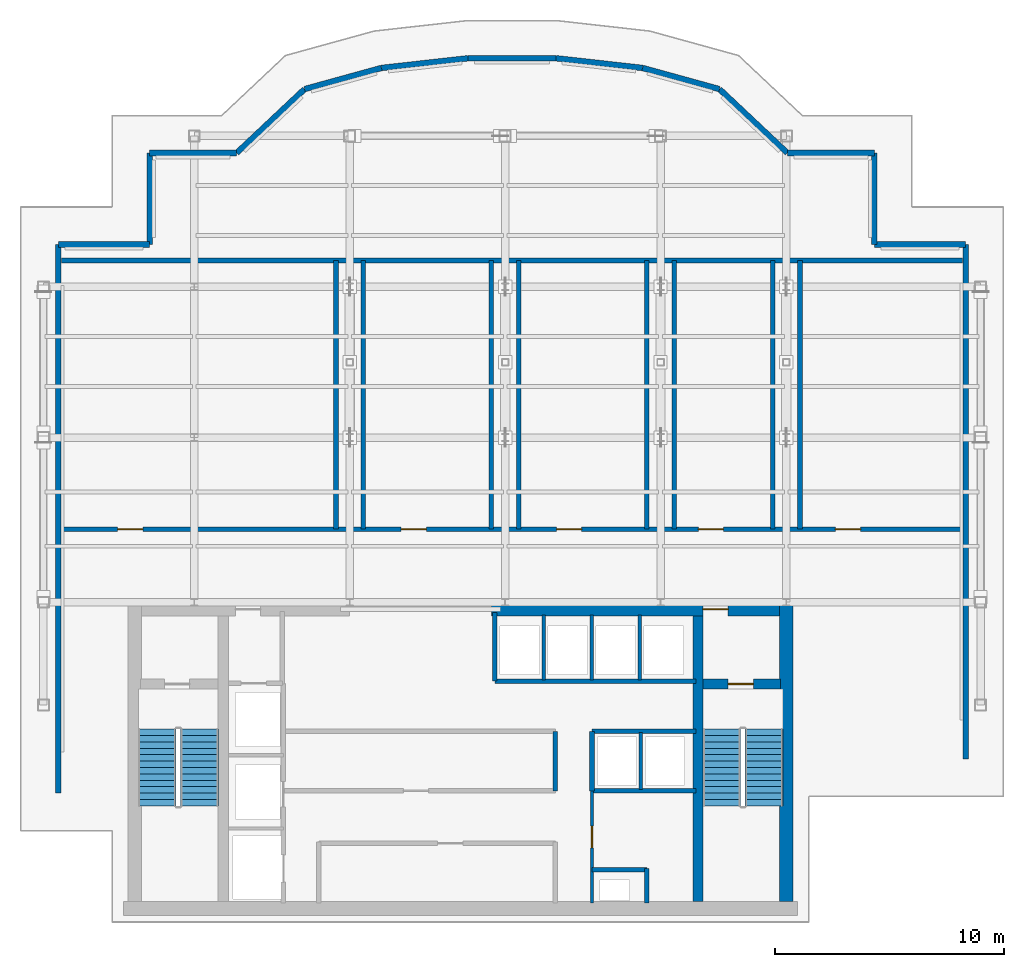
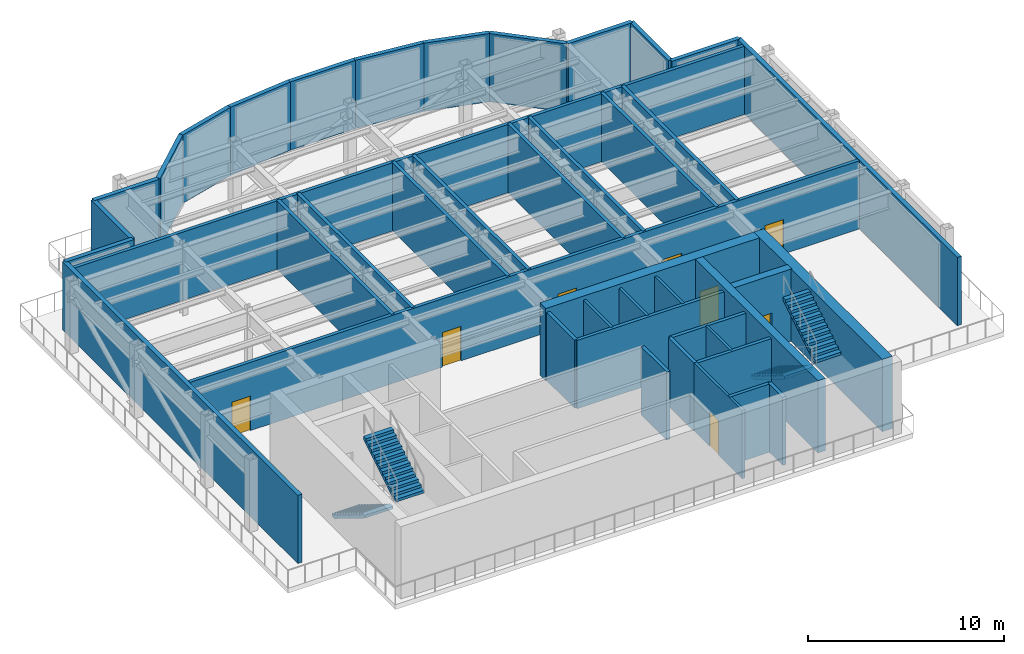
# One storey, part 5 of 7: 42 walls, 8 doors, 4 stair flights, 8 openings, 2 elements without a shape of their own.
"""IFC4 building model written with IfcOpenShell, lengths in metres."""

from ifc_helpers import new_model, si_unit, derived_unit, direction, frame, frame_2d, origin, place, context, subcontext, project, spatial, polyline, rectangle, outline, extrude, source, transform, mapped, material, layer, layer_set, type_object, element, fill, aggregate, save


model = new_model("IFC4")

# Units and contexts
model_context = context("Model", 3, precision=1e-05, world=origin(), true_north=direction((0.0, 1.0)))
body_context = subcontext(model_context, "Body", "Model", "MODEL_VIEW")
ifc_project = project(units=[si_unit("LENGTHUNIT", "METRE"), si_unit("AREAUNIT", "SQUARE_METRE"), si_unit("VOLUMEUNIT", "CUBIC_METRE"), si_unit("PLANEANGLEUNIT", "RADIAN"), si_unit("MASSUNIT", "GRAM", prefix="KILO"), derived_unit("THERMALTRANSMITTANCEUNIT", [(si_unit("POWERUNIT", "WATT"), 1), (si_unit("LENGTHUNIT", "METRE"), -2), (si_unit("THERMODYNAMICTEMPERATUREUNIT", "KELVIN"), -1)])], contexts=[model_context])

# Site, building, storey
site_placement = place(None, origin())
site = spatial("IfcSite", under=ifc_project, at=site_placement, CompositionType="ELEMENT")
building_placement = place(site_placement, origin())
building = spatial("IfcBuilding", under=site, at=building_placement, Name="Skarnbrae Concourse Arena and Tower", CompositionType="ELEMENT")
storey_placement = place(building_placement, frame((0.0, 0.0, 236.050048828125)))
storey = spatial("IfcBuildingStorey", under=building, at=storey_placement, Name="L61", CompositionType="ELEMENT", Elevation=236.050048828125)

# Wall, opening, door
ifc_material_1 = material(Name="Concrete 50 MPa (C50/60)", Category="concrete")
ifc_layer_1 = layer(ifc_material_1, 0.449951171875)
ifc_layer_set_1 = layer_set([ifc_layer_1], Name="Concrete 50 MPa (C50/60)")
wall_type_1 = type_object("IfcWallType", Name="WALL-CORE-450-C50", PredefinedType="SHEAR", material=ifc_layer_set_1)
shared_shape_1 = source(origin(), body_context, "Body", "SweptSolid", [
    extrude(rectangle(XDim=3.389892578125, YDim=0.449951171875, at=frame_2d((1.69482421875, 0.0))), origin(), (0.0, 0.0, 1.0), 4.5),
])
wall_1_placement = place(storey_placement, frame((29.860107421875, 10.419921875, 0.0), z_axis=(0.0, 0.0, 1.0), x_axis=(1.0, 0.0, 0.0)))
wall_1 = element("IfcWall", 1, at=wall_1_placement, inside=storey, type_object=wall_type_1, Name="L61 Rear core shear wall CW-ST2-N", PredefinedType="SHEAR", context=body_context, shape_type="MappedRepresentation", body=[
    mapped(shared_shape_1, transform((0.0, 0.0, 0.0))),
])
opening_1_placement = place(wall_1_placement, frame((1.10009765625, 0.0, 0.0)))
opening_1 = element("IfcOpeningElement", 2, at=opening_1_placement, cuts=wall_1, Name="Opening DT-03", PredefinedType="OPENING", context=body_context, shape_type="SweptSolid", body=[
    extrude(rectangle(XDim=1.10009765625, YDim=2.14990234375, at=frame_2d((0.550048828125, 1.074951171875))), frame((0.0, 0.23486328125, 0.0), z_axis=(0.0, -1.0, 0.0), x_axis=(1.0, 0.0, 0.0)), (0.0, 0.0, 1.0), 0.469970703125),
])
ifc_material_2 = material(Name="Steel CSA G40.21 350W", Category="steel")
door_type_1 = type_object("IfcDoorType", Name="DOOR-FIRE-1100-90M", OperationType="NOTDEFINED", PredefinedType="DOOR", material=ifc_material_2)
shared_shape_2 = source(origin(), body_context, "Body", "SweptSolid", [
    extrude(rectangle(XDim=1.10009765625, YDim=2.14990234375, at=frame_2d((0.550048828125, 1.074951171875))), frame((0.0, 0.02490234375, 0.0), z_axis=(0.0, -1.0, 0.0), x_axis=(1.0, 0.0, 0.0)), (0.0, 0.0, 1.0), 0.050048828125),
])
door_1_placement = place(opening_1_placement, frame((1.10009765625, 0.0, 0.0), z_axis=(0.0, 0.0, 1.0), x_axis=(-1.0, 0.0, 0.0)))
door_1 = element("IfcDoor", 3, at=door_1_placement, inside=storey, type_object=door_type_1, Name="D-1849 Stair ST-2 Door", OperationType="SINGLE_SWING_RIGHT", OverallHeight=2.14990234375, OverallWidth=1.10009765625, PredefinedType="DOOR", context=body_context, shape_type="MappedRepresentation", body=[
    mapped(shared_shape_2, transform((0.0, 0.0, 0.0))),
])
fill(opening_1, door_1)

# Wall
ifc_layer_2 = layer(ifc_material_1, 0.60009765625)
ifc_layer_set_2 = layer_set([ifc_layer_2], Name="Concrete 50 MPa (C50/60)")
wall_type_2 = type_object("IfcWallType", Name="WALL-CORE-600-C50", PredefinedType="SHEAR", material=ifc_layer_set_2)
shared_shape_3 = source(origin(), body_context, "Body", "SweptSolid", [
    extrude(rectangle(XDim=13.10009765625, YDim=0.60009765625, at=frame_2d((6.550048828125, 0.0))), origin(), (0.0, 0.0, 1.0), 4.5),
])
wall_2_placement = place(storey_placement, frame((33.5, 0.89990234375, 0.0), z_axis=(0.0, 0.0, 1.0), x_axis=(0.0, 1.0, 0.0)))
element("IfcWall", 4, at=wall_2_placement, inside=storey, type_object=wall_type_2, Name="L61 Rear core shear wall CW-E", PredefinedType="SHEAR", context=body_context, shape_type="MappedRepresentation", body=[
    mapped(shared_shape_3, transform((0.0, 0.0, 0.0))),
])

# Wall, opening, door
shared_shape_4 = source(origin(), body_context, "Body", "SweptSolid", [
    extrude(rectangle(XDim=12.599853515625, YDim=0.60009765625, at=frame_2d((6.2998046875, 0.0))), origin(), (0.0, 0.0, 1.0), 4.5),
])
wall_3_placement = place(storey_placement, frame((20.60009765625, 13.699951171875, 0.0), z_axis=(0.0, 0.0, 1.0), x_axis=(1.0, 0.0, 0.0)))
wall_3 = element("IfcWall", 5, at=wall_3_placement, inside=storey, type_object=wall_type_2, Name="L61 Rear core shear wall CW-NE", PredefinedType="SHEAR", context=body_context, shape_type="MappedRepresentation", body=[
    mapped(shared_shape_4, transform((0.0, 0.0, 0.0))),
])
opening_2_placement = place(wall_3_placement, frame((9.25, 0.0, 0.0)))
opening_2 = element("IfcOpeningElement", 6, at=opening_2_placement, cuts=wall_3, Name="Opening DT-03", PredefinedType="OPENING", context=body_context, shape_type="SweptSolid", body=[
    extrude(rectangle(XDim=1.10009765625, YDim=2.14990234375, at=frame_2d((0.550048828125, 1.074951171875))), frame((0.0, 0.31005859375, 0.0), z_axis=(0.0, -1.0, 0.0), x_axis=(1.0, 0.0, 0.0)), (0.0, 0.0, 1.0), 0.6201171875),
])
door_2_placement = place(opening_2_placement, origin())
door_2 = element("IfcDoor", 7, at=door_2_placement, inside=storey, type_object=door_type_1, Name="D-1851 Stair ST-2 Vestibule Door", OperationType="SINGLE_SWING_LEFT", OverallHeight=2.14990234375, OverallWidth=1.10009765625, PredefinedType="DOOR", context=body_context, shape_type="MappedRepresentation", body=[
    mapped(shared_shape_2, transform((0.0, 0.0, 0.0))),
])
fill(opening_2, door_2)

# Walls
shared_shape_5 = source(origin(), body_context, "Body", "SweptSolid", [
    extrude(rectangle(XDim=12.5, YDim=0.449951171875, at=frame_2d((6.25, 0.0))), origin(), (0.0, 0.0, 1.0), 4.5),
])
wall_4_placement = place(storey_placement, frame((29.635009765625, 0.89990234375, 0.0), z_axis=(0.0, 0.0, 1.0), x_axis=(0.0, 1.0, 0.0)))
element("IfcWall", 8, at=wall_4_placement, inside=storey, type_object=wall_type_1, Name="L61 Rear core shear wall CW-WEB-E", PredefinedType="SHEAR", context=body_context, shape_type="MappedRepresentation", body=[
    mapped(shared_shape_5, transform((0.0, 0.0, 0.0))),
])
ifc_material_3 = material(Name="Precast concrete 40 MPa (C40/50)", Category="concrete")
ifc_layer_3 = layer(ifc_material_3, 0.25)
ifc_layer_set_3 = layer_set([ifc_layer_3], Name="Precast concrete 40 MPa (C40/50)")
wall_type_3 = type_object("IfcWallType", Name="WALL-EXT-SPANDREL-250", PredefinedType="STANDARD", material=ifc_layer_set_3)
shared_shape_6 = source(origin(), body_context, "Body", "SweptSolid", [
    extrude(rectangle(XDim=24.0, YDim=0.25, at=frame_2d((12.0, 0.0))), origin(), (0.0, 0.0, 1.0), 4.25),
])
wall_5_placement = place(storey_placement, frame((1.64990234375, 5.64990234375, 0.0), z_axis=(0.0, 0.0, 1.0), x_axis=(0.0, 1.0, 0.0)))
element("IfcWall", 9, at=wall_5_placement, inside=storey, type_object=wall_type_3, Name="L61 Recessed refuge mechanical band wall 03", PredefinedType="STANDARD", context=body_context, shape_type="MappedRepresentation", body=[
    mapped(shared_shape_6, transform((0.0, 0.0, 0.0))),
])
shared_shape_7 = source(origin(), body_context, "Body", "SweptSolid", [
    extrude(rectangle(XDim=4.0, YDim=0.25, at=frame_2d((2.0, 0.0))), origin(), (0.0, 0.0, 1.0), 4.25),
])
for number, where, z_axis, x_axis, name in (
    (10, (1.64990234375, 29.64990234375, 0.0), (0.0, 0.0, 1.0), (1.0, 0.0, 0.0), "L61 Recessed refuge mechanical band wall 04"),
    (11, (5.64990234375, 29.64990234375, 0.0), (0.0, 0.0, 1.0), (0.0, 1.0, 0.0), "L61 Recessed refuge mechanical band wall 05"),
    (12, (37.35009765625, 33.64990234375, 0.0), (0.0, 0.0, 1.0), (0.0, -1.0, 0.0), "L61 Recessed refuge mechanical band wall 15"),
    (13, (37.35009765625, 29.64990234375, 0.0), (0.0, 0.0, 1.0), (1.0, 0.0, 0.0), "L61 Recessed refuge mechanical band wall 16"),
):
    element("IfcWall", number, at=place(storey_placement, frame(where, z_axis=z_axis, x_axis=x_axis)), inside=storey, type_object=wall_type_3, Name=name, PredefinedType="STANDARD", context=body_context, shape_type="MappedRepresentation", body=[
        mapped(shared_shape_7, transform((0.0, 0.0, 0.0))),
    ])
shared_shape_8 = source(origin(), body_context, "Body", "SweptSolid", [
    extrude(rectangle(XDim=3.804443359375, YDim=0.25, at=frame_2d((1.90234375, 0.0))), origin(), (0.0, 0.0, 1.0), 4.25),
])
for number, where, z_axis, x_axis, name in (
    (14, (5.64990234375, 33.64990234375, 0.0), (0.0, 0.0, 1.0), (1.0, 0.0, 0.0), "L61 Recessed refuge mechanical band wall 06"),
    (15, (33.545654296875, 33.64990234375, 0.0), (0.0, 0.0, 1.0), (1.0, 0.0, 0.0), "L61 Recessed refuge mechanical band wall 14"),
):
    element("IfcWall", number, at=place(storey_placement, frame(where, z_axis=z_axis, x_axis=x_axis)), inside=storey, type_object=wall_type_3, Name=name, PredefinedType="STANDARD", context=body_context, shape_type="MappedRepresentation", body=[
        mapped(shared_shape_8, transform((0.0, 0.0, 0.0))),
    ])
shared_shape_9 = source(origin(), body_context, "Body", "SweptSolid", [
    extrude(rectangle(XDim=4.077392578125, YDim=0.25, at=frame_2d((2.03857421875, 0.0))), origin(), (0.0, 0.0, 1.0), 4.25),
])
for number, where, z_axis, x_axis, name in (
    (16, (9.454345703125, 33.64990234375, 0.0), (0.0, 0.0, 1.0), (0.728159560975, 0.685407655166, 0.0), "L61 Recessed refuge mechanical band wall 07"),
    (17, (30.57666015625, 36.444580078125, 0.0), (0.0, 0.0, 1.0), (0.728159560975, -0.685407655166, 0.0), "L61 Recessed refuge mechanical band wall 13"),
):
    element("IfcWall", number, at=place(storey_placement, frame(where, z_axis=z_axis, x_axis=x_axis)), inside=storey, type_object=wall_type_3, Name=name, PredefinedType="STANDARD", context=body_context, shape_type="MappedRepresentation", body=[
        mapped(shared_shape_9, transform((0.0, 0.0, 0.0))),
    ])
shared_shape_10 = source(origin(), body_context, "Body", "SweptSolid", [
    extrude(rectangle(XDim=3.489501953125, YDim=0.25, at=frame_2d((1.74462890625, 0.0))), origin(), (0.0, 0.0, 1.0), 4.25),
])
for number, where, z_axis, x_axis, name in (
    (18, (12.42333984375, 36.444580078125, 0.0), (0.0, 0.0, 1.0), (0.964048259881, 0.265727214677, 0.0), "L61 Recessed refuge mechanical band wall 08"),
    (19, (27.212646484375, 37.371826171875, 0.0), (0.0, 0.0, 1.0), (0.964048259881, -0.265727214677, 0.0), "L61 Recessed refuge mechanical band wall 12"),
):
    element("IfcWall", number, at=place(storey_placement, frame(where, z_axis=z_axis, x_axis=x_axis)), inside=storey, type_object=wall_type_3, Name=name, PredefinedType="STANDARD", context=body_context, shape_type="MappedRepresentation", body=[
        mapped(shared_shape_10, transform((0.0, 0.0, 0.0))),
    ])
shared_shape_11 = source(origin(), body_context, "Body", "SweptSolid", [
    extrude(rectangle(XDim=3.811279296875, YDim=0.25, at=frame_2d((1.90576171875, 0.0))), origin(), (0.0, 0.0, 1.0), 4.25),
])
for number, where, z_axis, x_axis, name in (
    (20, (15.787353515625, 37.371826171875, 0.0), (0.0, 0.0, 1.0), (0.99376915319, 0.111457930034, 0.0), "L61 Recessed refuge mechanical band wall 09"),
    (21, (23.425048828125, 37.796630859375, 0.0), (0.0, 0.0, 1.0), (0.99376915319, -0.111457930034, 0.0), "L61 Recessed refuge mechanical band wall 11"),
):
    element("IfcWall", number, at=place(storey_placement, frame(where, z_axis=z_axis, x_axis=x_axis)), inside=storey, type_object=wall_type_3, Name=name, PredefinedType="STANDARD", context=body_context, shape_type="MappedRepresentation", body=[
        mapped(shared_shape_11, transform((0.0, 0.0, 0.0))),
    ])
shared_shape_12 = source(origin(), body_context, "Body", "SweptSolid", [
    extrude(rectangle(XDim=3.85009765625, YDim=0.25, at=frame_2d((1.925048828125, 0.0))), origin(), (0.0, 0.0, 1.0), 4.25),
])
wall_6_placement = place(storey_placement, frame((19.574951171875, 37.796630859375, 0.0), z_axis=(0.0, 0.0, 1.0), x_axis=(1.0, 0.0, 0.0)))
element("IfcWall", 22, at=wall_6_placement, inside=storey, type_object=wall_type_3, Name="L61 Recessed refuge mechanical band wall 10", PredefinedType="STANDARD", context=body_context, shape_type="MappedRepresentation", body=[
    mapped(shared_shape_12, transform((0.0, 0.0, 0.0))),
])
shared_shape_13 = source(origin(), body_context, "Body", "SweptSolid", [
    extrude(rectangle(XDim=22.5, YDim=0.25, at=frame_2d((11.25, 0.0))), origin(), (0.0, 0.0, 1.0), 4.25),
])
wall_7_placement = place(storey_placement, frame((41.35009765625, 29.64990234375, 0.0), z_axis=(0.0, 0.0, 1.0), x_axis=(0.0, -1.0, 0.0)))
element("IfcWall", 23, at=wall_7_placement, inside=storey, type_object=wall_type_3, Name="L61 Recessed refuge mechanical band wall 17", PredefinedType="STANDARD", context=body_context, shape_type="MappedRepresentation", body=[
    mapped(shared_shape_13, transform((0.0, 0.0, 0.0))),
])
ifc_material_4 = material(Name="Gypsum board on cold-formed steel studs", Category="steel")
ifc_layer_4 = layer(ifc_material_4, 0.199951171875)
ifc_layer_set_4 = layer_set([ifc_layer_4], Name="Gypsum board on cold-formed steel studs")
wall_type_4 = type_object("IfcWallType", Name="WALL-PART-200-2HR", PredefinedType="PARTITIONING", material=ifc_layer_set_4)
shared_shape_14 = source(origin(), body_context, "Body", "SweptSolid", [
    extrude(rectangle(XDim=2.60009765625, YDim=0.199951171875, at=frame_2d((1.300048828125, 0.0))), origin(), (0.0, 0.0, 1.0), 4.25),
])
for number, where, z_axis, x_axis, name in (
    (24, (23.39990234375, 5.75, 0.0), (0.0, 0.0, 1.0), (0.0, 1.0, 0.0), "L61 Interior partition wall W-L61-B2B-E"),
    (25, (25.0, 5.75, 0.0), (0.0, 0.0, 1.0), (0.0, 1.0, 0.0), "L61 Interior partition wall W-L61-B3S-W"),
):
    element("IfcWall", number, at=place(storey_placement, frame(where, z_axis=z_axis, x_axis=x_axis)), inside=storey, type_object=wall_type_4, Name=name, PredefinedType="PARTITIONING", context=body_context, shape_type="MappedRepresentation", body=[
        mapped(shared_shape_14, transform((0.0, 0.0, 0.0))),
    ])

# Wall, opening, door
ifc_layer_5 = layer(ifc_material_4, 0.14990234375)
ifc_layer_set_5 = layer_set([ifc_layer_5], Name="Gypsum board on cold-formed steel studs")
wall_type_5 = type_object("IfcWallType", Name="WALL-PART-150-1HR", PredefinedType="PARTITIONING", material=ifc_layer_set_5)
shared_shape_15 = source(origin(), body_context, "Body", "SweptSolid", [
    extrude(rectangle(XDim=4.89990234375, YDim=0.14990234375, at=frame_2d((2.449951171875, 0.0))), origin(), (0.0, 0.0, 1.0), 4.25),
])
wall_8_placement = place(storey_placement, frame((25.0, 0.85009765625, 0.0), z_axis=(0.0, 0.0, 1.0), x_axis=(0.0, 1.0, 0.0)))
wall_8 = element("IfcWall", 26, at=wall_8_placement, inside=storey, type_object=wall_type_5, Name="L61 Interior partition wall W-L61-CSV-W", PredefinedType="PARTITIONING", context=body_context, shape_type="MappedRepresentation", body=[
    mapped(shared_shape_15, transform((0.0, 0.0, 0.0))),
])
opening_3_placement = place(wall_8_placement, frame((2.39990234375, 0.0, 0.0)))
opening_3 = element("IfcOpeningElement", 27, at=opening_3_placement, cuts=wall_8, Name="Opening DT-04", PredefinedType="OPENING", context=body_context, shape_type="SweptSolid", body=[
    extrude(rectangle(XDim=0.949951171875, YDim=2.14990234375, at=frame_2d((0.47509765625, 1.074951171875))), frame((0.0, 0.0849609375, 0.0), z_axis=(0.0, -1.0, 0.0), x_axis=(1.0, 0.0, 0.0)), (0.0, 0.0, 1.0), 0.169921875),
])
door_type_2 = type_object("IfcDoorType", Name="DOOR-INT-950-45M", OperationType="NOTDEFINED", PredefinedType="DOOR", material=ifc_material_2)
shared_shape_16 = source(origin(), body_context, "Body", "SweptSolid", [
    extrude(rectangle(XDim=0.949951171875, YDim=2.14990234375, at=frame_2d((0.47509765625, 1.074951171875))), frame((0.0, 0.02490234375, 0.0), z_axis=(0.0, -1.0, 0.0), x_axis=(1.0, 0.0, 0.0)), (0.0, 0.0, 1.0), 0.050048828125),
])
door_3_placement = place(opening_3_placement, origin())
door_3 = element("IfcDoor", 28, at=door_3_placement, inside=storey, type_object=door_type_2, Name="D-1857 Core Riser Plant Door", OperationType="SINGLE_SWING_LEFT", OverallHeight=2.14990234375, OverallWidth=0.949951171875, PredefinedType="DOOR", context=body_context, shape_type="MappedRepresentation", body=[
    mapped(shared_shape_16, transform((0.0, 0.0, 0.0))),
])
fill(opening_3, door_3)

# Walls
shared_shape_17 = source(origin(), body_context, "Body", "SweptSolid", [
    extrude(rectangle(XDim=2.39990234375, YDim=0.199951171875, at=frame_2d((1.199951171875, 0.0))), origin(), (0.0, 0.0, 1.0), 4.25),
])
wall_9_placement = place(storey_placement, frame((25.0, 2.300048828125, 0.0), z_axis=(0.0, 0.0, 1.0), x_axis=(1.0, 0.0, 0.0)))
element("IfcWall", 29, at=wall_9_placement, inside=storey, type_object=wall_type_4, Name="L61 Interior partition wall W-L61-MEP-N", PredefinedType="PARTITIONING", context=body_context, shape_type="MappedRepresentation", body=[
    mapped(shared_shape_17, transform((0.0, 0.0, 0.0))),
])
shared_shape_18 = source(origin(), body_context, "Body", "SweptSolid", [
    extrude(rectangle(XDim=1.5, YDim=0.199951171875, at=frame_2d((0.75, 0.0))), origin(), (0.0, 0.0, 1.0), 4.25),
])
wall_10_placement = place(storey_placement, frame((27.39990234375, 0.85009765625, 0.0), z_axis=(0.0, 0.0, 1.0), x_axis=(0.0, 1.0, 0.0)))
element("IfcWall", 30, at=wall_10_placement, inside=storey, type_object=wall_type_4, Name="L61 Interior partition wall W-L61-MEP-E", PredefinedType="PARTITIONING", context=body_context, shape_type="MappedRepresentation", body=[
    mapped(shared_shape_18, transform((0.0, 0.0, 0.0))),
])
ifc_layer_6 = layer(ifc_material_4, 0.14990234375)
ifc_layer_set_6 = layer_set([ifc_layer_6], Name="Gypsum board on cold-formed steel studs")
wall_type_6 = type_object("IfcWallType", Name="WALL-PART-150", PredefinedType="PARTITIONING", material=ifc_layer_set_6)
shared_shape_19 = source(origin(), body_context, "Body", "SweptSolid", [
    extrude(rectangle(XDim=2.5, YDim=0.14990234375, at=frame_2d((1.25, 0.0))), origin(), (0.0, 0.0, 1.0), 4.25),
])
wall_11_placement = place(storey_placement, frame((27.139892578125, 5.800048828125, 0.0), z_axis=(0.0, 0.0, 1.0), x_axis=(0.0, 1.0, 0.0)))
element("IfcWall", 31, at=wall_11_placement, inside=storey, type_object=wall_type_6, Name="L61 Interior partition wall W-L61-B3S-P1", PredefinedType="PARTITIONING", context=body_context, shape_type="MappedRepresentation", body=[
    mapped(shared_shape_19, transform((0.0, 0.0, 0.0))),
])
shared_shape_20 = source(origin(), body_context, "Body", "SweptSolid", [
    extrude(rectangle(XDim=8.800048828125, YDim=0.199951171875, at=frame_2d((4.39990234375, 0.0))), origin(), (0.0, 0.0, 1.0), 4.25),
])
wall_12_placement = place(storey_placement, frame((20.75, 10.550048828125, 0.0), z_axis=(0.0, 0.0, 1.0), x_axis=(1.0, 0.0, 0.0)))
element("IfcWall", 32, at=wall_12_placement, inside=storey, type_object=wall_type_4, Name="L61 Interior partition wall W-L61-B3N-S", PredefinedType="PARTITIONING", context=body_context, shape_type="MappedRepresentation", body=[
    mapped(shared_shape_20, transform((0.0, 0.0, 0.0))),
])
shared_shape_21 = source(origin(), body_context, "Body", "SweptSolid", [
    extrude(rectangle(XDim=3.0, YDim=0.199951171875, at=frame_2d((1.5, 0.0))), origin(), (0.0, 0.0, 1.0), 4.25),
])
wall_13_placement = place(storey_placement, frame((20.75, 10.550048828125, 0.0), z_axis=(0.0, 0.0, 1.0), x_axis=(0.0, 1.0, 0.0)))
element("IfcWall", 33, at=wall_13_placement, inside=storey, type_object=wall_type_4, Name="L61 Interior partition wall W-L61-B3N-W", PredefinedType="PARTITIONING", context=body_context, shape_type="MappedRepresentation", body=[
    mapped(shared_shape_21, transform((0.0, 0.0, 0.0))),
])
shared_shape_22 = source(origin(), body_context, "Body", "SweptSolid", [
    extrude(rectangle(XDim=2.849853515625, YDim=0.14990234375, at=frame_2d((1.4248046875, 0.0))), origin(), (0.0, 0.0, 1.0), 4.25),
])
for number, where, z_axis, x_axis, name in (
    (34, (22.889892578125, 10.60009765625, 0.0), (0.0, 0.0, 1.0), (0.0, 1.0, 0.0), "L61 Interior partition wall W-L61-B3N-P1"),
    (35, (24.989990234375, 10.60009765625, 0.0), (0.0, 0.0, 1.0), (0.0, 1.0, 0.0), "L61 Interior partition wall W-L61-B3N-P2"),
    (36, (27.090087890625, 10.60009765625, 0.0), (0.0, 0.0, 1.0), (0.0, 1.0, 0.0), "L61 Interior partition wall W-L61-B3N-P3"),
):
    element("IfcWall", number, at=place(storey_placement, frame(where, z_axis=z_axis, x_axis=x_axis)), inside=storey, type_object=wall_type_6, Name=name, PredefinedType="PARTITIONING", context=body_context, shape_type="MappedRepresentation", body=[
        mapped(shared_shape_22, transform((0.0, 0.0, 0.0))),
    ])
shared_shape_23 = source(origin(), body_context, "Body", "SweptSolid", [
    extrude(rectangle(XDim=4.550048828125, YDim=0.199951171875, at=frame_2d((2.27490234375, 0.0))), origin(), (0.0, 0.0, 1.0), 4.25),
])
for number, where, z_axis, x_axis, name in (
    (37, (25.0, 8.35009765625, 0.0), (0.0, 0.0, 1.0), (1.0, 0.0, 0.0), "L61 Interior partition wall W-L61-B3S-N"),
    (38, (25.0, 5.75, 0.0), (0.0, 0.0, 1.0), (1.0, 0.0, 0.0), "L61 Interior partition wall W-L61-B3S-S"),
):
    element("IfcWall", number, at=place(storey_placement, frame(where, z_axis=z_axis, x_axis=x_axis)), inside=storey, type_object=wall_type_4, Name=name, PredefinedType="PARTITIONING", context=body_context, shape_type="MappedRepresentation", body=[
        mapped(shared_shape_23, transform((0.0, 0.0, 0.0))),
    ])

# Wall, openings, doors
shared_shape_24 = source(origin(), body_context, "Body", "SweptSolid", [
    extrude(rectangle(XDim=39.419921875, YDim=0.199951171875, at=frame_2d((19.7099609375, 0.0))), origin(), (0.0, 0.0, 1.0), 4.25),
])
wall_14_placement = place(storey_placement, frame((1.7900390625, 17.199951171875, 0.0), z_axis=(0.0, 0.0, 1.0), x_axis=(1.0, 0.0, 0.0)))
wall_14 = element("IfcWall", 39, at=wall_14_placement, inside=storey, type_object=wall_type_4, Name="L61 Interior partition wall W-L61-PCN", PredefinedType="PARTITIONING", context=body_context, shape_type="MappedRepresentation", body=[
    mapped(shared_shape_24, transform((0.0, 0.0, 0.0))),
])
opening_4_placement = place(wall_14_placement, frame((2.4599609375, 0.0, 0.0)))
opening_4 = element("IfcOpeningElement", 40, at=opening_4_placement, cuts=wall_14, Name="Opening DT-03", PredefinedType="OPENING", context=body_context, shape_type="SweptSolid", body=[
    extrude(rectangle(XDim=1.10009765625, YDim=2.14990234375, at=frame_2d((0.550048828125, 1.074951171875))), frame((0.0, 0.10986328125, 0.0), z_axis=(0.0, -1.0, 0.0), x_axis=(1.0, 0.0, 0.0)), (0.0, 0.0, 1.0), 0.219970703125),
])
opening_5_placement = place(wall_14_placement, frame((14.860107421875, 0.0, 0.0)))
opening_5 = element("IfcOpeningElement", 41, at=opening_5_placement, cuts=wall_14, Name="Opening DT-03", PredefinedType="OPENING", context=body_context, shape_type="SweptSolid", body=[
    extrude(rectangle(XDim=1.10009765625, YDim=2.14990234375, at=frame_2d((0.550048828125, 1.074951171875))), frame((0.0, 0.10986328125, 0.0), z_axis=(0.0, -1.0, 0.0), x_axis=(1.0, 0.0, 0.0)), (0.0, 0.0, 1.0), 0.219970703125),
])
opening_6_placement = place(wall_14_placement, frame((21.659912109375, 0.0, 0.0)))
opening_6 = element("IfcOpeningElement", 42, at=opening_6_placement, cuts=wall_14, Name="Opening DT-03", PredefinedType="OPENING", context=body_context, shape_type="SweptSolid", body=[
    extrude(rectangle(XDim=1.10009765625, YDim=2.14990234375, at=frame_2d((0.550048828125, 1.074951171875))), frame((0.0, 0.10986328125, 0.0), z_axis=(0.0, -1.0, 0.0), x_axis=(1.0, 0.0, 0.0)), (0.0, 0.0, 1.0), 0.219970703125),
])
opening_7_placement = place(wall_14_placement, frame((27.860107421875, 0.0, 0.0)))
opening_7 = element("IfcOpeningElement", 43, at=opening_7_placement, cuts=wall_14, Name="Opening DT-03", PredefinedType="OPENING", context=body_context, shape_type="SweptSolid", body=[
    extrude(rectangle(XDim=1.10009765625, YDim=2.14990234375, at=frame_2d((0.550048828125, 1.074951171875))), frame((0.0, 0.10986328125, 0.0), z_axis=(0.0, -1.0, 0.0), x_axis=(1.0, 0.0, 0.0)), (0.0, 0.0, 1.0), 0.219970703125),
])
opening_8_placement = place(wall_14_placement, frame((33.860107421875, 0.0, 0.0)))
opening_8 = element("IfcOpeningElement", 44, at=opening_8_placement, cuts=wall_14, Name="Opening DT-03", PredefinedType="OPENING", context=body_context, shape_type="SweptSolid", body=[
    extrude(rectangle(XDim=1.10009765625, YDim=2.14990234375, at=frame_2d((0.550048828125, 1.074951171875))), frame((0.0, 0.10986328125, 0.0), z_axis=(0.0, -1.0, 0.0), x_axis=(1.0, 0.0, 0.0)), (0.0, 0.0, 1.0), 0.219970703125),
])
door_4_placement = place(opening_4_placement, origin())
door_4 = element("IfcDoor", 45, at=door_4_placement, inside=storey, type_object=door_type_1, Name="D-1858 Refuge Area West Door", OperationType="SINGLE_SWING_LEFT", OverallHeight=2.14990234375, OverallWidth=1.10009765625, PredefinedType="DOOR", context=body_context, shape_type="MappedRepresentation", body=[
    mapped(shared_shape_2, transform((0.0, 0.0, 0.0))),
])
fill(opening_4, door_4)
door_5_placement = place(opening_5_placement, origin())
door_5 = element("IfcDoor", 46, at=door_5_placement, inside=storey, type_object=door_type_1, Name="D-1859 Chiller and Heat Rejection Mechanical Plant Door", OperationType="SINGLE_SWING_RIGHT", OverallHeight=2.14990234375, OverallWidth=1.10009765625, PredefinedType="DOOR", context=body_context, shape_type="MappedRepresentation", body=[
    mapped(shared_shape_2, transform((0.0, 0.0, 0.0))),
])
fill(opening_5, door_5)
door_6_placement = place(opening_6_placement, origin())
door_6 = element("IfcDoor", 47, at=door_6_placement, inside=storey, type_object=door_type_1, Name="D-1860 AHU Supply Fan Mechanical Plant Room Door", OperationType="SINGLE_SWING_LEFT", OverallHeight=2.14990234375, OverallWidth=1.10009765625, PredefinedType="DOOR", context=body_context, shape_type="MappedRepresentation", body=[
    mapped(shared_shape_2, transform((0.0, 0.0, 0.0))),
])
fill(opening_6, door_6)
door_7_placement = place(opening_7_placement, origin())
door_7 = element("IfcDoor", 48, at=door_7_placement, inside=storey, type_object=door_type_1, Name="D-1861 Domestic Booster and Fire Pump Mechanical Plant Door", OperationType="SINGLE_SWING_RIGHT", OverallHeight=2.14990234375, OverallWidth=1.10009765625, PredefinedType="DOOR", context=body_context, shape_type="MappedRepresentation", body=[
    mapped(shared_shape_2, transform((0.0, 0.0, 0.0))),
])
fill(opening_7, door_7)
door_8_placement = place(opening_8_placement, origin())
door_8 = element("IfcDoor", 49, at=door_8_placement, inside=storey, type_object=door_type_1, Name="D-1862 Refuge Area East Door", OperationType="SINGLE_SWING_LEFT", OverallHeight=2.14990234375, OverallWidth=1.10009765625, PredefinedType="DOOR", context=body_context, shape_type="MappedRepresentation", body=[
    mapped(shared_shape_2, transform((0.0, 0.0, 0.0))),
])
fill(opening_8, door_8)

# Walls
wall_15_placement = place(storey_placement, frame((1.7900390625, 28.949951171875, 0.0), z_axis=(0.0, 0.0, 1.0), x_axis=(1.0, 0.0, 0.0)))
element("IfcWall", 50, at=wall_15_placement, inside=storey, type_object=wall_type_4, Name="L61 Interior partition wall W-L61-BTN-S", PredefinedType="PARTITIONING", context=body_context, shape_type="MappedRepresentation", body=[
    mapped(shared_shape_24, transform((0.0, 0.0, 0.0))),
])
shared_shape_25 = source(origin(), body_context, "Body", "SweptSolid", [
    extrude(rectangle(XDim=11.75, YDim=0.199951171875, at=frame_2d((5.875, 0.0))), origin(), (0.0, 0.0, 1.0), 4.25),
])
for number, where, z_axis, x_axis, name in (
    (51, (13.800048828125, 17.199951171875, 0.0), (0.0, 0.0, 1.0), (0.0, 1.0, 0.0), "L61 Interior partition wall W-L61-OCH-138"),
    (52, (15.0, 17.199951171875, 0.0), (0.0, 0.0, 1.0), (0.0, 1.0, 0.0), "L61 Interior partition wall W-L61-OCH-150"),
    (53, (20.60009765625, 17.199951171875, 0.0), (0.0, 0.0, 1.0), (0.0, 1.0, 0.0), "L61 Interior partition wall W-L61-OCH-206"),
    (54, (21.800048828125, 17.199951171875, 0.0), (0.0, 0.0, 1.0), (0.0, 1.0, 0.0), "L61 Interior partition wall W-L61-OCH-218"),
    (55, (27.39990234375, 17.199951171875, 0.0), (0.0, 0.0, 1.0), (0.0, 1.0, 0.0), "L61 Interior partition wall W-L61-OCH-274"),
    (56, (28.60009765625, 17.199951171875, 0.0), (0.0, 0.0, 1.0), (0.0, 1.0, 0.0), "L61 Interior partition wall W-L61-OCH-286"),
    (57, (32.89990234375, 17.199951171875, 0.0), (0.0, 0.0, 1.0), (0.0, 1.0, 0.0), "L61 Interior partition wall W-L61-OCH-329"),
    (58, (34.10009765625, 17.199951171875, 0.0), (0.0, 0.0, 1.0), (0.0, 1.0, 0.0), "L61 Interior partition wall W-L61-OCH-341"),
):
    element("IfcWall", number, at=place(storey_placement, frame(where, z_axis=z_axis, x_axis=x_axis)), inside=storey, type_object=wall_type_4, Name=name, PredefinedType="PARTITIONING", context=body_context, shape_type="MappedRepresentation", body=[
        mapped(shared_shape_25, transform((0.0, 0.0, 0.0))),
    ])

# Stair, stair flights
ifc_material_5 = material(Name="Concrete 40 MPa (C40/50)", Category="concrete")
stair_type = type_object("IfcStairType", Name="STAIR-DOGLEG-1650", PredefinedType="HALF_TURN_STAIR", material=ifc_material_5)
stair_1_placement = place(storey_placement, origin())
stair_1 = element("IfcStair", 59, at=stair_1_placement, inside=storey, type_object=stair_type, Name="L61 Protected Exit Stair ST-1", PredefinedType="HALF_TURN_STAIR")
stair_flight_type = type_object("IfcStairFlightType", Name="FLIGHT-STRAIGHT-1650", PredefinedType="STRAIGHT", material=ifc_material_5)
shared_shape_26 = source(origin(), body_context, "Body", "SweptSolid", [
    extrude(outline(polyline([(0.0, 0.0), (0.0, 0.173095703125), (0.280029296875, 0.173095703125), (0.280029296875, 0.34619140625), (0.56005859375, 0.34619140625), (0.56005859375, 0.519287109375), (0.840087890625, 0.519287109375), (0.840087890625, 0.6923828125), (1.1201171875, 0.6923828125), (1.1201171875, 0.865478515625), (1.39990234375, 0.865478515625), (1.39990234375, 1.03857421875), (1.679931640625, 1.03857421875), (1.679931640625, 1.21142578125), (1.9599609375, 1.21142578125), (1.9599609375, 1.384521484375), (2.239990234375, 1.384521484375), (2.239990234375, 1.5576171875), (2.52001953125, 1.5576171875), (2.52001953125, 1.730712890625), (2.800048828125, 1.730712890625), (2.800048828125, 1.90380859375), (3.080078125, 1.90380859375), (3.080078125, 2.076904296875), (3.360107421875, 2.076904296875), (3.360107421875, 2.25), (3.360107421875, 1.900634765625), (0.28515625, 0.0), (0.0, 0.0)])), frame((0.0, 0.824951171875, 0.0), z_axis=(0.0, -1.0, 0.0), x_axis=(1.0, 0.0, 0.0)), (0.0, 0.0, 1.0), 1.64990234375),
])
stair_flight_1_placement = place(storey_placement, frame((5.97509765625, 8.449951171875, 0.0), z_axis=(0.0, 0.0, 1.0), x_axis=(0.0, -1.0, 0.0)))
stair_flight_1 = element("IfcStairFlight", 60, at=stair_flight_1_placement, type_object=stair_flight_type, Name="ST-1 flight 1", NumberOfRisers=13, NumberOfTreads=12, PredefinedType="STRAIGHT", RiserHeight=0.173076923, TreadLength=0.28, context=body_context, shape_type="MappedRepresentation", body=[
    mapped(shared_shape_26, transform((0.0, 0.0, 0.0))),
])
stair_flight_2_placement = place(storey_placement, frame((7.824951171875, 5.090087890625, 2.25), z_axis=(0.0, 0.0, 1.0), x_axis=(0.0, 1.0, 0.0)))
stair_flight_2 = element("IfcStairFlight", 61, at=stair_flight_2_placement, type_object=stair_flight_type, Name="ST-1 flight 2", NumberOfRisers=13, NumberOfTreads=12, PredefinedType="STRAIGHT", RiserHeight=0.173076923, TreadLength=0.28, context=body_context, shape_type="MappedRepresentation", body=[
    mapped(shared_shape_26, transform((0.0, 0.0, 0.0))),
])
aggregate(stair_1, [stair_flight_1, stair_flight_2])

stair_2_placement = place(storey_placement, origin())
stair_2 = element("IfcStair", 62, at=stair_2_placement, inside=storey, type_object=stair_type, Name="L61 Protected Exit Stair ST-2", PredefinedType="HALF_TURN_STAIR")
stair_flight_3_placement = place(storey_placement, frame((30.675048828125, 8.449951171875, 0.0), z_axis=(0.0, 0.0, 1.0), x_axis=(0.0, -1.0, 0.0)))
stair_flight_3 = element("IfcStairFlight", 63, at=stair_flight_3_placement, type_object=stair_flight_type, Name="ST-2 flight 1", NumberOfRisers=13, NumberOfTreads=12, PredefinedType="STRAIGHT", RiserHeight=0.173076923, TreadLength=0.28, context=body_context, shape_type="MappedRepresentation", body=[
    mapped(shared_shape_26, transform((0.0, 0.0, 0.0))),
])
stair_flight_4_placement = place(storey_placement, frame((32.52490234375, 5.090087890625, 2.25), z_axis=(0.0, 0.0, 1.0), x_axis=(0.0, 1.0, 0.0)))
stair_flight_4 = element("IfcStairFlight", 64, at=stair_flight_4_placement, type_object=stair_flight_type, Name="ST-2 flight 2", NumberOfRisers=13, NumberOfTreads=12, PredefinedType="STRAIGHT", RiserHeight=0.173076923, TreadLength=0.28, context=body_context, shape_type="MappedRepresentation", body=[
    mapped(shared_shape_26, transform((0.0, 0.0, 0.0))),
])
aggregate(stair_2, [stair_flight_3, stair_flight_4])

save(model, "model.ifc")
